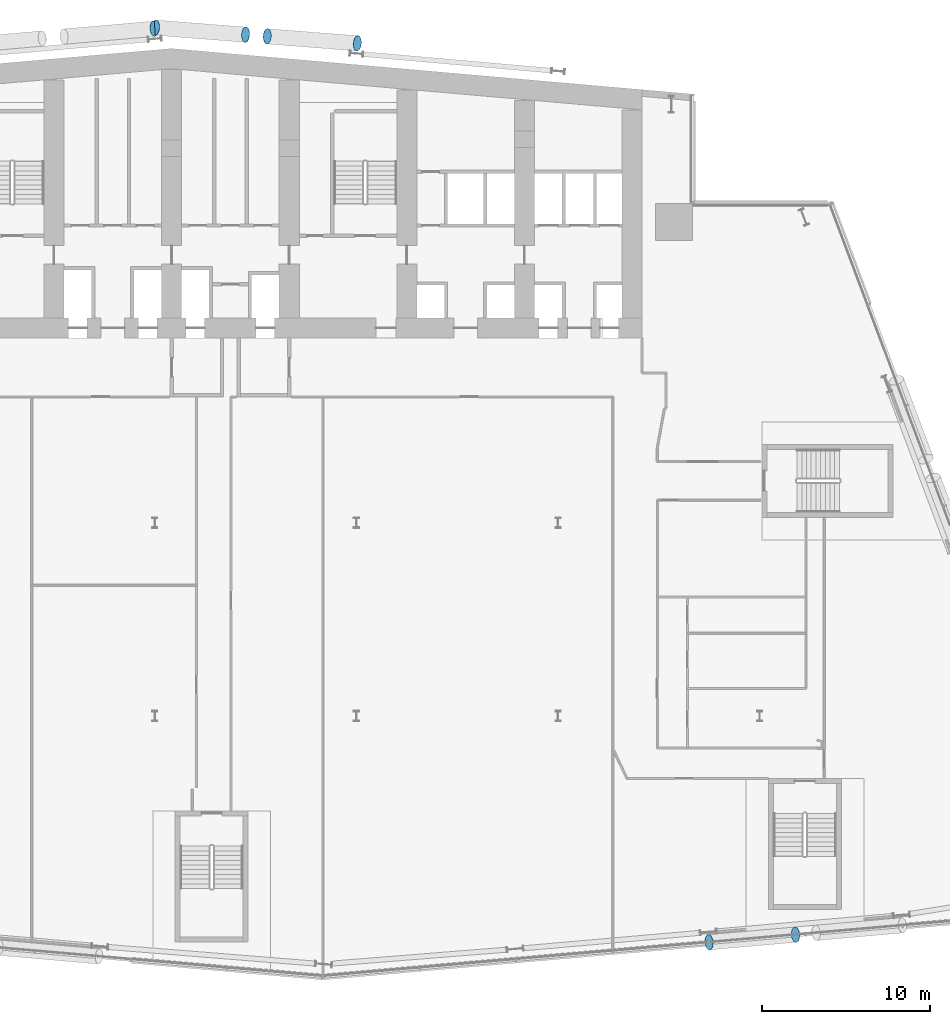
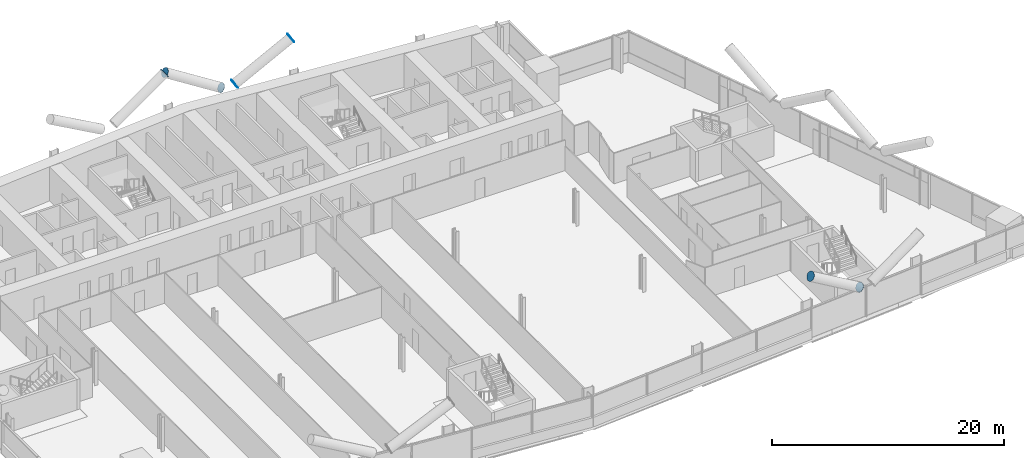
# One storey, part 20 of 25: 7 discrete accessories.
"""IFC4 building model written with IfcOpenShell, lengths in metres."""

from ifc_helpers import new_model, si_unit, direction, frame, origin, origin_2d, place, context, subcontext, project, spatial, circle, extrude, material, material_profile, profile_set, type_object, element, save


model = new_model("IFC4")

# Units and contexts
model_context = context("Model", 3, precision=1e-05, world=origin(), true_north=direction((0.0, 1.0)))
body_context = subcontext(model_context, "Body", "Model", "MODEL_VIEW")
ifc_project = project(units=[si_unit("LENGTHUNIT", "METRE"), si_unit("AREAUNIT", "SQUARE_METRE"), si_unit("VOLUMEUNIT", "CUBIC_METRE"), si_unit("PLANEANGLEUNIT", "RADIAN"), si_unit("MASSUNIT", "GRAM", prefix="KILO")], contexts=[model_context])

# Site, building, storey
site_placement = place(None, origin())
site = spatial("IfcSite", under=ifc_project, at=site_placement, CompositionType="ELEMENT")
building_placement = place(site_placement, origin())
building = spatial("IfcBuilding", under=site, at=building_placement, Name="Wharfspan Tower", CompositionType="ELEMENT")
storey_placement = place(building_placement, frame((0.0, 0.0, 63.100098)))
storey = spatial("IfcBuildingStorey", under=building, at=storey_placement, Name="L12", CompositionType="ELEMENT", Elevation=63.100098)

# Discrete accessories
ifc_material = material(Name="Steel S460NH", Category="steel")
ifc_material_profile = material_profile(ifc_material, circle(Radius=0.457031, at=origin_2d()))
ifc_profile_set = profile_set([ifc_material_profile], Name="Steel S460NH")
discrete_accessory_type = type_object("IfcDiscreteAccessoryType", Name="End plate CHS 914x40", PredefinedType="BRACKET", material=ifc_profile_set)
discrete_accessory_1_placement = place(storey_placement, frame((74.137451, -1.507568, 3.280273), z_axis=(-0.837276, -0.073877, 0.541767), x_axis=(0.087893, -0.996132, -1e-06)))
element("IfcDiscreteAccessory", 1, at=discrete_accessory_1_placement, inside=storey, type_object=discrete_accessory_type, Name="End plate CHS 914x40", PredefinedType="BRACKET", context=body_context, shape_type="SweptSolid", body=[
    extrude(circle(Radius=0.457031, at=origin_2d()), origin(), (0.0, 0.0, 1.0), 0.01001),
])
discrete_accessory_2_placement = place(storey_placement, frame((68.995117, -1.95752, 6.5), z_axis=(-0.848411, -0.07486, 0.524018), x_axis=(0.087893, -0.996132, -2e-06)))
element("IfcDiscreteAccessory", 2, at=discrete_accessory_2_placement, inside=storey, type_object=discrete_accessory_type, Name="End plate CHS 914x40", PredefinedType="BRACKET", context=body_context, shape_type="SweptSolid", body=[
    extrude(circle(Radius=0.457031, at=origin_2d()), origin(), (0.0, 0.0, 1.0), 0.009766),
])
for number, where, z_axis, x_axis, name in (
    (3, (35.947266, 52.412842, 6.5), (0.855186, 0.073302, 0.513112), (-0.085402, 0.996345, 1e-06), "End plate CHS 914x40"),
    (4, (42.687988, 51.960449, 3.284912), (0.856465, -0.048941, 0.513879), (0.05705, 0.998372, 0.0), "End plate CHS 914x40"),
    (5, (48.044434, 51.544434, 6.5), (0.855186, -0.073302, 0.513112), (0.085402, 0.996345, -1e-06), "End plate CHS 914x40"),
    (6, (41.405029, 52.060303, 3.284912), (-0.856465, 0.048941, 0.513879), (-0.05705, -0.998372, 0.0), "End plate CHS 914x40"),
    (7, (36.048584, 52.476318, 6.5), (-0.856465, 0.048941, 0.513879), (-0.05705, -0.998372, 0.0), "End plate CHS 914x40"),
):
    element("IfcDiscreteAccessory", number, at=place(storey_placement, frame(where, z_axis=z_axis, x_axis=x_axis)), inside=storey, type_object=discrete_accessory_type, Name=name, PredefinedType="BRACKET", context=body_context, shape_type="SweptSolid", body=[
        extrude(circle(Radius=0.457031, at=origin_2d()), origin(), (0.0, 0.0, 1.0), 0.01001),
    ])

save(model, "model.ifc")
